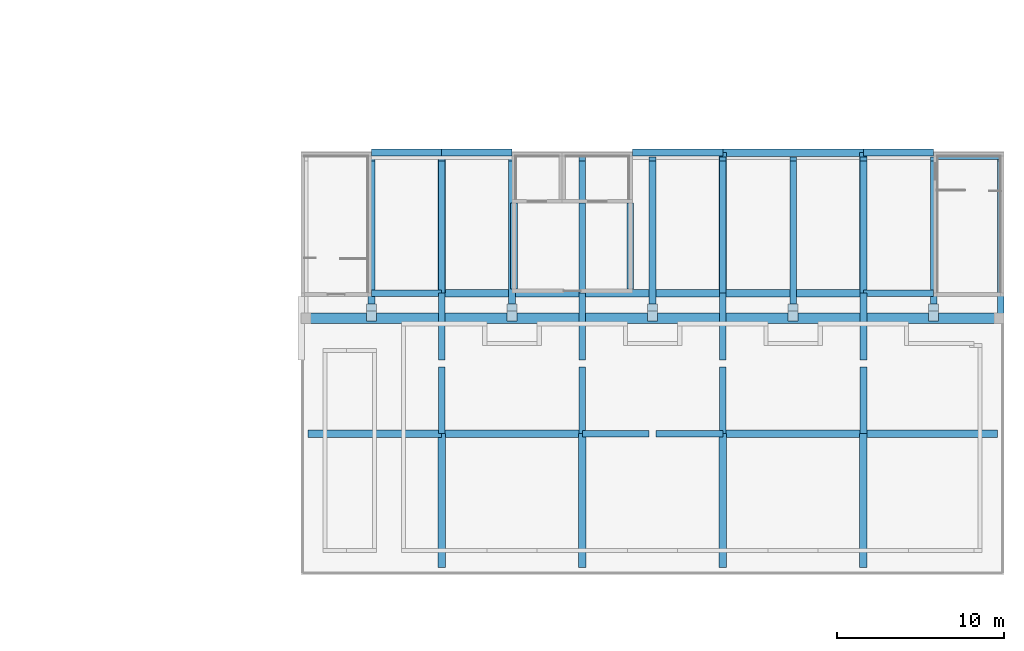
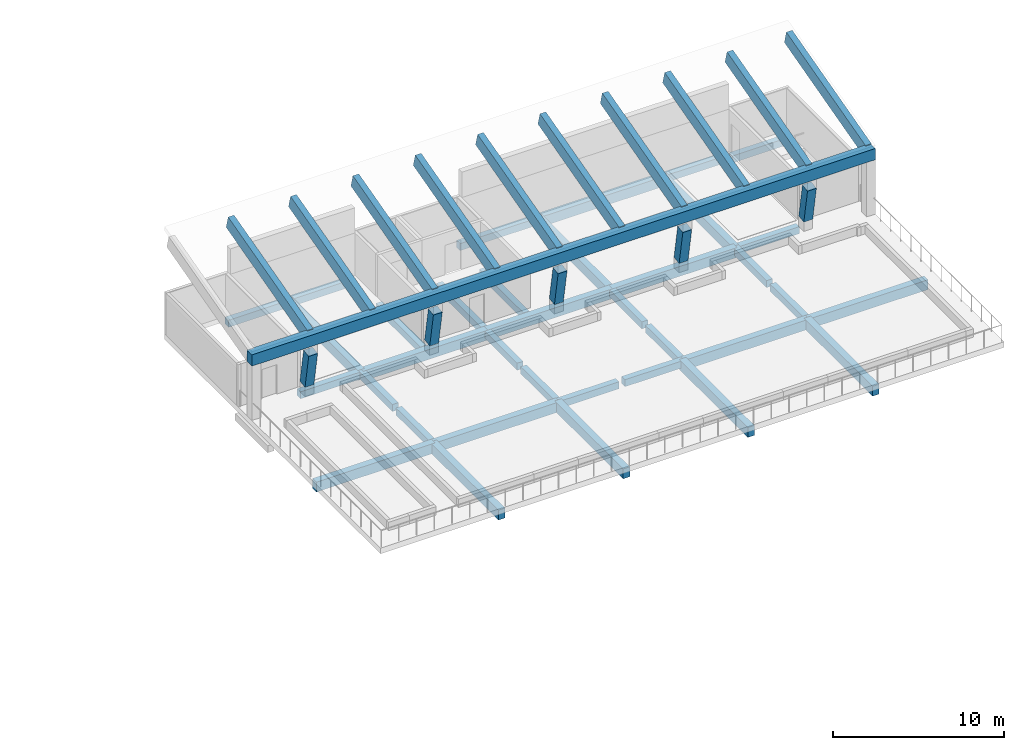
# One storey, part 26 of 67: 46 beams, 5 members.
"""IFC4 building model written with IfcOpenShell, lengths in metres."""

from ifc_helpers import new_model, si_unit, direction, frame, origin, origin_2d, place, context, subcontext, project, spatial, rectangle, extrude, material, material_profile, profile_set, type_object, element, save


model = new_model("IFC4")

# Units and contexts
model_context = context("Model", 3, precision=1e-05, world=origin(), true_north=direction((0.0, 1.0)))
body_context = subcontext(model_context, "Body", "Model", "MODEL_VIEW")
ifc_project = project(units=[si_unit("LENGTHUNIT", "METRE"), si_unit("AREAUNIT", "SQUARE_METRE"), si_unit("VOLUMEUNIT", "CUBIC_METRE"), si_unit("PLANEANGLEUNIT", "RADIAN"), si_unit("MASSUNIT", "GRAM", prefix="KILO")], contexts=[model_context])

# Site, building, storey
site_placement = place(None, origin())
site = spatial("IfcSite", under=ifc_project, at=site_placement, CompositionType="ELEMENT")
building_placement = place(site_placement, origin())
building = spatial("IfcBuilding", under=site, at=building_placement, Name="Kiln Court Media Centre", CompositionType="ELEMENT")
storey_placement = place(building_placement, frame((0.0, 0.0, 19.800048828125)))
storey = spatial("IfcBuildingStorey", under=building, at=storey_placement, Name="L04", CompositionType="ELEMENT", Elevation=19.800048828125)

# Beams
ifc_material_1 = material(Name="Concrete C30/37", Category="concrete")
ifc_material_profile_1 = material_profile(ifc_material_1, rectangle(XDim=0.39990234375, YDim=0.5, at=origin_2d()), Name="RC 400x500")
ifc_profile_set_1 = profile_set([ifc_material_profile_1], Name="Concrete C30/37")
beam_type_1 = type_object("IfcBeamType", Name="Concrete C30/37 beam 400x500", PredefinedType="BEAM", material=ifc_profile_set_1)
for number, where, z_axis, x_axis, name in (
    (1, (134.39990234375, 8.39990234375, -0.650146484375), (0.0, 1.0, 0.0), (-1.0, 0.0, 0.0), "L04-B-1118"),
    (2, (134.39990234375, 12.800048828125, -0.650146484375), (0.0, 1.0, 0.0), (-1.0, 0.0, 0.0), "L04-B-1119"),
    (3, (142.800048828125, 8.39990234375, -0.650146484375), (0.0, 1.0, 0.0), (-1.0, 0.0, 0.0), "L04-B-1122"),
    (4, (142.800048828125, 12.800048828125, -0.650146484375), (0.0, 1.0, 0.0), (-1.0, 0.0, 0.0), "L04-B-1123"),
):
    element("IfcBeam", number, at=place(storey_placement, frame(where, z_axis=z_axis, x_axis=x_axis)), inside=storey, type_object=beam_type_1, Name=name, PredefinedType="BEAM", context=body_context, shape_type="SweptSolid", body=[
        extrude(rectangle(XDim=0.39990234375, YDim=0.5, at=origin_2d()), origin(), (0.0, 0.0, 1.0), 4.0),
    ])
beam_1_placement = place(storey_placement, frame((142.800048828125, 16.800048828125, -0.650146484375), z_axis=(0.0, 1.0, 0.0), x_axis=(-1.0, 0.0, 0.0)))
element("IfcBeam", 5, at=beam_1_placement, inside=storey, type_object=beam_type_1, Name="L04-B-1124", PredefinedType="BEAM", context=body_context, shape_type="SweptSolid", body=[
    extrude(rectangle(XDim=0.39990234375, YDim=0.5, at=origin_2d()), origin(), (0.0, 0.0, 1.0), 5.39990234375),
])
for number, where, z_axis, x_axis, name in (
    (6, (151.199951171875, 8.39990234375, -0.650146484375), (0.0, 1.0, 0.0), (-1.0, 0.0, 0.0), "L04-B-1126"),
    (7, (151.199951171875, 12.800048828125, -0.650146484375), (0.0, 1.0, 0.0), (-1.0, 0.0, 0.0), "L04-B-1127"),
    (8, (159.60009765625, 8.39990234375, -0.650146484375), (0.0, 1.0, 0.0), (-1.0, 0.0, 0.0), "L04-B-1130"),
    (9, (159.60009765625, 12.800048828125, -0.650146484375), (0.0, 1.0, 0.0), (-1.0, 0.0, 0.0), "L04-B-1131"),
    (10, (142.800048828125, 8.39990234375, -0.650146484375), (1.0, 0.0, 0.0), (0.0, 1.0, 0.0), "L04-B-1135"),
    (11, (147.199951171875, 8.39990234375, -0.650146484375), (1.0, 0.0, 0.0), (0.0, 1.0, 0.0), "L04-B-1136"),
):
    element("IfcBeam", number, at=place(storey_placement, frame(where, z_axis=z_axis, x_axis=x_axis)), inside=storey, type_object=beam_type_1, Name=name, PredefinedType="BEAM", context=body_context, shape_type="SweptSolid", body=[
        extrude(rectangle(XDim=0.39990234375, YDim=0.5, at=origin_2d()), origin(), (0.0, 0.0, 1.0), 4.0),
    ])
for number, where, z_axis, x_axis, name in (
    (12, (130.199951171875, 16.800048828125, -0.650146484375), (1.0, 0.0, 0.0), (0.0, 1.0, 0.0), "L04-B-1139"),
    (13, (159.60009765625, 16.800048828125, -0.650146484375), (1.0, 0.0, 0.0), (0.0, 1.0, 0.0), "L04-B-1143"),
    (14, (130.199951171875, 25.199951171875, -0.650146484375), (1.0, 0.0, 0.0), (0.0, 1.0, 0.0), "L04-B-1144"),
):
    element("IfcBeam", number, at=place(storey_placement, frame(where, z_axis=z_axis, x_axis=x_axis)), inside=storey, type_object=beam_type_1, Name=name, PredefinedType="BEAM", context=body_context, shape_type="SweptSolid", body=[
        extrude(rectangle(XDim=0.39990234375, YDim=0.5, at=origin_2d()), origin(), (0.0, 0.0, 1.0), 4.199951171875),
    ])
beam_2_placement = place(storey_placement, frame((134.39990234375, 25.199951171875, -0.650146484375), z_axis=(1.0, 0.0, 0.0), x_axis=(0.0, 1.0, 0.0)))
element("IfcBeam", 15, at=beam_2_placement, inside=storey, type_object=beam_type_1, Name="L04-B-1145", PredefinedType="BEAM", context=body_context, shape_type="SweptSolid", body=[
    extrude(rectangle(XDim=0.39990234375, YDim=0.5, at=origin_2d()), origin(), (0.0, 0.0, 1.0), 4.2001953125),
])
beam_3_placement = place(storey_placement, frame((145.800048828125, 25.199951171875, -0.650146484375), z_axis=(1.0, 0.0, 0.0), x_axis=(0.0, 1.0, 0.0)))
element("IfcBeam", 16, at=beam_3_placement, inside=storey, type_object=beam_type_1, Name="L04-B-1146", PredefinedType="BEAM", context=body_context, shape_type="SweptSolid", body=[
    extrude(rectangle(XDim=0.39990234375, YDim=0.5, at=origin_2d()), origin(), (0.0, 0.0, 1.0), 5.39990234375),
])
beam_4_placement = place(storey_placement, frame((159.60009765625, 25.199951171875, -0.650146484375), z_axis=(1.0, 0.0, 0.0), x_axis=(0.0, 1.0, 0.0)))
element("IfcBeam", 17, at=beam_4_placement, inside=storey, type_object=beam_type_1, Name="L04-B-1148", PredefinedType="BEAM", context=body_context, shape_type="SweptSolid", body=[
    extrude(rectangle(XDim=0.39990234375, YDim=0.5, at=origin_2d()), origin(), (0.0, 0.0, 1.0), 4.199951171875),
])
beam_5_placement = place(storey_placement, frame((164.0, 24.97509765625, -0.650146484375), z_axis=(1.0, 0.0, 0.0), x_axis=(0.0, 1.0, 0.0)))
element("IfcBeam", 18, at=beam_5_placement, inside=storey, type_object=beam_type_1, Name="L04-B-1149", PredefinedType="BEAM", context=body_context, shape_type="SweptSolid", body=[
    extrude(rectangle(XDim=0.39990234375, YDim=0.5, at=origin_2d()), origin(), (0.0, 0.0, 1.0), 3.800048828125),
])
for number, where, z_axis, x_axis, name in (
    (19, (138.72509765625, 17.050048828125, -0.650146484375), (0.0, 1.0, 0.0), (-1.0, 0.0, 0.0), "L04-B-1150"),
    (20, (145.675048828125, 22.199951171875, -0.650146484375), (0.0, -1.0, 0.0), (1.0, 0.0, 0.0), "L04-B-1151"),
):
    element("IfcBeam", number, at=place(storey_placement, frame(where, z_axis=z_axis, x_axis=x_axis)), inside=storey, type_object=beam_type_1, Name=name, PredefinedType="BEAM", context=body_context, shape_type="SweptSolid", body=[
        extrude(rectangle(XDim=0.39990234375, YDim=0.5, at=origin_2d()), origin(), (0.0, 0.0, 1.0), 5.14990234375),
    ])
ifc_material_2 = material(Name="Concrete C30/37", Category="concrete")
ifc_material_profile_2 = material_profile(ifc_material_2, rectangle(XDim=0.39990234375, YDim=0.89990234375, at=origin_2d()), Name="RC 400x900")
ifc_profile_set_2 = profile_set([ifc_material_profile_2], Name="Concrete C30/37")
beam_type_2 = type_object("IfcBeamType", Name="Concrete C30/37 beam 400x900", PredefinedType="BEAM", material=ifc_profile_set_2)
for number, where, z_axis, x_axis, name in (
    (21, (130.199951171875, 15.580078125, 4.294677734375), (0.0, 0.96591991193, 0.258841116781), (-1.0, 0.0, 0.0), "L04-B-1002"),
    (22, (134.39990234375, 15.580078125, 4.294677734375), (0.0, 0.96591991193, 0.258841116781), (-1.0, 0.0, 0.0), "L04-B-1003"),
    (23, (138.60009765625, 15.580078125, 4.294677734375), (0.0, 0.96591991193, 0.258841116781), (-1.0, 0.0, 0.0), "L04-B-1004"),
    (24, (142.800048828125, 15.580078125, 4.294677734375), (0.0, 0.96591991193, 0.258841116781), (-1.0, 0.0, 0.0), "L04-B-1005"),
    (25, (147.0, 15.580078125, 4.294677734375), (0.0, 0.96591991193, 0.258841116781), (-1.0, 0.0, 0.0), "L04-B-1006"),
    (26, (151.199951171875, 15.580078125, 4.294677734375), (0.0, 0.96591991193, 0.258841116781), (-1.0, 0.0, 0.0), "L04-B-1007"),
    (27, (155.39990234375, 15.580078125, 4.294677734375), (0.0, 0.96591991193, 0.258841116781), (-1.0, 0.0, 0.0), "L04-B-1008"),
    (28, (159.60009765625, 15.580078125, 4.294677734375), (0.0, 0.96591991193, 0.258841116781), (-1.0, 0.0, 0.0), "L04-B-1009"),
    (29, (163.800048828125, 15.580078125, 4.294677734375), (0.0, 0.96591991193, 0.258841116781), (-1.0, 0.0, 0.0), "L04-B-1010"),
    (30, (167.800048828125, 15.580078125, 4.294677734375), (0.0, 0.96591991193, 0.258841116781), (-1.0, 0.0, 0.0), "L04-B-1011"),
):
    element("IfcBeam", number, at=place(storey_placement, frame(where, z_axis=z_axis, x_axis=x_axis)), inside=storey, type_object=beam_type_2, Name=name, PredefinedType="BEAM", context=body_context, shape_type="SweptSolid", body=[
        extrude(rectangle(XDim=0.39990234375, YDim=0.89990234375, at=origin_2d()), origin(), (0.0, 0.0, 1.0), 9.56591796875),
    ])
ifc_material_3 = material(Name="Concrete C30/37", Category="concrete")
ifc_material_profile_3 = material_profile(ifc_material_3, rectangle(XDim=0.449951171875, YDim=0.699951171875, at=origin_2d()), Name="RC 450x700")
ifc_profile_set_3 = profile_set([ifc_material_profile_3], Name="Concrete C30/37")
beam_type_3 = type_object("IfcBeamType", Name="Concrete C30/37 beam 450x700", PredefinedType="BEAM", material=ifc_profile_set_3)
beam_6_placement = place(storey_placement, frame((134.39990234375, 0.39990234375, -0.75), z_axis=(0.0, 1.0, 0.0), x_axis=(-1.0, 0.0, 0.0)))
element("IfcBeam", 31, at=beam_6_placement, inside=storey, type_object=beam_type_3, Name="L04-B-1117", PredefinedType="BEAM", context=body_context, shape_type="SweptSolid", body=[
    extrude(rectangle(XDim=0.449951171875, YDim=0.699951171875, at=origin_2d()), origin(), (0.0, 0.0, 1.0), 8.0),
])
beam_7_placement = place(storey_placement, frame((134.39990234375, 16.800048828125, -0.75), z_axis=(0.0, 1.0, 0.0), x_axis=(-1.0, 0.0, 0.0)))
element("IfcBeam", 32, at=beam_7_placement, inside=storey, type_object=beam_type_3, Name="L04-B-1120", PredefinedType="BEAM", context=body_context, shape_type="SweptSolid", body=[
    extrude(rectangle(XDim=0.449951171875, YDim=0.699951171875, at=origin_2d()), origin(), (0.0, 0.0, 1.0), 8.39990234375),
])
for number, where, z_axis, x_axis, name in (
    (33, (142.800048828125, 0.39990234375, -0.75), (0.0, 1.0, 0.0), (-1.0, 0.0, 0.0), "L04-B-1121"),
    (34, (151.199951171875, 0.39990234375, -0.75), (0.0, 1.0, 0.0), (-1.0, 0.0, 0.0), "L04-B-1125"),
):
    element("IfcBeam", number, at=place(storey_placement, frame(where, z_axis=z_axis, x_axis=x_axis)), inside=storey, type_object=beam_type_3, Name=name, PredefinedType="BEAM", context=body_context, shape_type="SweptSolid", body=[
        extrude(rectangle(XDim=0.449951171875, YDim=0.699951171875, at=origin_2d()), origin(), (0.0, 0.0, 1.0), 8.0),
    ])
beam_8_placement = place(storey_placement, frame((151.199951171875, 16.800048828125, -0.75), z_axis=(0.0, 1.0, 0.0), x_axis=(-1.0, 0.0, 0.0)))
element("IfcBeam", 35, at=beam_8_placement, inside=storey, type_object=beam_type_3, Name="L04-B-1128", PredefinedType="BEAM", context=body_context, shape_type="SweptSolid", body=[
    extrude(rectangle(XDim=0.449951171875, YDim=0.699951171875, at=origin_2d()), origin(), (0.0, 0.0, 1.0), 8.39990234375),
])
beam_9_placement = place(storey_placement, frame((159.60009765625, 0.39990234375, -0.75), z_axis=(0.0, 1.0, 0.0), x_axis=(-1.0, 0.0, 0.0)))
element("IfcBeam", 36, at=beam_9_placement, inside=storey, type_object=beam_type_3, Name="L04-B-1129", PredefinedType="BEAM", context=body_context, shape_type="SweptSolid", body=[
    extrude(rectangle(XDim=0.449951171875, YDim=0.699951171875, at=origin_2d()), origin(), (0.0, 0.0, 1.0), 8.0),
])
beam_10_placement = place(storey_placement, frame((159.60009765625, 16.800048828125, -0.75), z_axis=(0.0, 1.0, 0.0), x_axis=(-1.0, 0.0, 0.0)))
element("IfcBeam", 37, at=beam_10_placement, inside=storey, type_object=beam_type_3, Name="L04-B-1132", PredefinedType="BEAM", context=body_context, shape_type="SweptSolid", body=[
    extrude(rectangle(XDim=0.449951171875, YDim=0.699951171875, at=origin_2d()), origin(), (0.0, 0.0, 1.0), 8.39990234375),
])
beam_11_placement = place(storey_placement, frame((126.39990234375, 8.39990234375, -0.75), z_axis=(1.0, 0.0, 0.0), x_axis=(0.0, 1.0, 0.0)))
element("IfcBeam", 38, at=beam_11_placement, inside=storey, type_object=beam_type_3, Name="L04-B-1133", PredefinedType="BEAM", context=body_context, shape_type="SweptSolid", body=[
    extrude(rectangle(XDim=0.449951171875, YDim=0.699951171875, at=origin_2d()), origin(), (0.0, 0.0, 1.0), 8.0),
])
for number, where, z_axis, x_axis, name in (
    (39, (134.39990234375, 8.39990234375, -0.75), (1.0, 0.0, 0.0), (0.0, 1.0, 0.0), "L04-B-1134"),
    (40, (151.199951171875, 8.39990234375, -0.75), (1.0, 0.0, 0.0), (0.0, 1.0, 0.0), "L04-B-1137"),
):
    element("IfcBeam", number, at=place(storey_placement, frame(where, z_axis=z_axis, x_axis=x_axis)), inside=storey, type_object=beam_type_3, Name=name, PredefinedType="BEAM", context=body_context, shape_type="SweptSolid", body=[
        extrude(rectangle(XDim=0.449951171875, YDim=0.699951171875, at=origin_2d()), origin(), (0.0, 0.0, 1.0), 8.400146484375),
    ])
beam_12_placement = place(storey_placement, frame((159.60009765625, 8.39990234375, -0.75), z_axis=(1.0, 0.0, 0.0), x_axis=(0.0, 1.0, 0.0)))
element("IfcBeam", 41, at=beam_12_placement, inside=storey, type_object=beam_type_3, Name="L04-B-1138", PredefinedType="BEAM", context=body_context, shape_type="SweptSolid", body=[
    extrude(rectangle(XDim=0.449951171875, YDim=0.699951171875, at=origin_2d()), origin(), (0.0, 0.0, 1.0), 8.0),
])
beam_13_placement = place(storey_placement, frame((134.39990234375, 16.800048828125, -0.75), z_axis=(1.0, 0.0, 0.0), x_axis=(0.0, 1.0, 0.0)))
element("IfcBeam", 42, at=beam_13_placement, inside=storey, type_object=beam_type_3, Name="L04-B-1140", PredefinedType="BEAM", context=body_context, shape_type="SweptSolid", body=[
    extrude(rectangle(XDim=0.449951171875, YDim=0.699951171875, at=origin_2d()), origin(), (0.0, 0.0, 1.0), 8.400146484375),
])
beam_14_placement = place(storey_placement, frame((142.800048828125, 16.800048828125, -0.75), z_axis=(1.0, 0.0, 0.0), x_axis=(0.0, 1.0, 0.0)))
element("IfcBeam", 43, at=beam_14_placement, inside=storey, type_object=beam_type_3, Name="L04-B-1141", PredefinedType="BEAM", context=body_context, shape_type="SweptSolid", body=[
    extrude(rectangle(XDim=0.449951171875, YDim=0.699951171875, at=origin_2d()), origin(), (0.0, 0.0, 1.0), 8.39990234375),
])
for number, where, z_axis, x_axis, name in (
    (44, (151.199951171875, 16.800048828125, -0.75), (1.0, 0.0, 0.0), (0.0, 1.0, 0.0), "L04-B-1142"),
    (45, (151.199951171875, 25.199951171875, -0.75), (1.0, 0.0, 0.0), (0.0, 1.0, 0.0), "L04-B-1147"),
):
    element("IfcBeam", number, at=place(storey_placement, frame(where, z_axis=z_axis, x_axis=x_axis)), inside=storey, type_object=beam_type_3, Name=name, PredefinedType="BEAM", context=body_context, shape_type="SweptSolid", body=[
        extrude(rectangle(XDim=0.449951171875, YDim=0.699951171875, at=origin_2d()), origin(), (0.0, 0.0, 1.0), 8.400146484375),
    ])
ifc_material_4 = material(Name="Concrete C30/37", Category="concrete")
ifc_material_profile_4 = material_profile(ifc_material_4, rectangle(XDim=0.60009765625, YDim=0.800048828125, at=origin_2d()), Name="RC 600x800")
ifc_profile_set_4 = profile_set([ifc_material_profile_4], Name="Concrete C30/37")
beam_type_4 = type_object("IfcBeamType", Name="Concrete C30/37 beam 600x800", PredefinedType="BEAM", material=ifc_profile_set_4)
beam_15_placement = place(storey_placement, frame((126.0, 15.300048828125, 4.269775390625), z_axis=(1.0, 0.0, 0.0), x_axis=(0.0, 1.0, 0.0)))
element("IfcBeam", 46, at=beam_15_placement, inside=storey, type_object=beam_type_4, Name="L04-B-1000", PredefinedType="BEAM", context=body_context, shape_type="SweptSolid", body=[
    extrude(rectangle(XDim=0.60009765625, YDim=0.800048828125, at=origin_2d()), origin(), (0.0, 0.0, 1.0), 42.0),
])

# Members
ifc_material_5 = material(Name="Concrete C40/50", Category="concrete")
ifc_material_profile_5 = material_profile(ifc_material_5, rectangle(XDim=0.60009765625, YDim=0.60009765625, at=origin_2d()), Name="RC 600x600")
ifc_profile_set_5 = profile_set([ifc_material_profile_5], Name="Concrete C40/50")
member_type = type_object("IfcMemberType", Name="Concrete C40/50 raked column 600x600", PredefinedType="STRUT", material=ifc_profile_set_5)
for number, where, z_axis, x_axis, name in (
    (47, (130.199951171875, 15.85888671875, 0.699951171875), (0.0, -0.173674261144, 0.984803153435), (1.0, 0.0, 0.0), "L04-M-1000"),
    (48, (138.60009765625, 15.85888671875, 0.699951171875), (0.0, -0.173674261144, 0.984803153435), (1.0, 0.0, 0.0), "L04-M-1001"),
    (49, (147.0, 15.85888671875, 0.699951171875), (0.0, -0.173674261144, 0.984803153435), (1.0, 0.0, 0.0), "L04-M-1002"),
    (50, (155.39990234375, 15.85888671875, 0.699951171875), (0.0, -0.173674261144, 0.984803153435), (1.0, 0.0, 0.0), "L04-M-1003"),
    (51, (163.800048828125, 15.85888671875, 0.699951171875), (0.0, -0.173674261144, 0.984803153435), (1.0, 0.0, 0.0), "L04-M-1004"),
):
    element("IfcMember", number, at=place(storey_placement, frame(where, z_axis=z_axis, x_axis=x_axis)), inside=storey, type_object=member_type, Name=name, PredefinedType="STRUT", context=body_context, shape_type="SweptSolid", body=[
        extrude(rectangle(XDim=0.60009765625, YDim=0.60009765625, at=origin_2d()), origin(), (0.0, 0.0, 1.0), 2.5078125),
    ])

save(model, "model.ifc")
